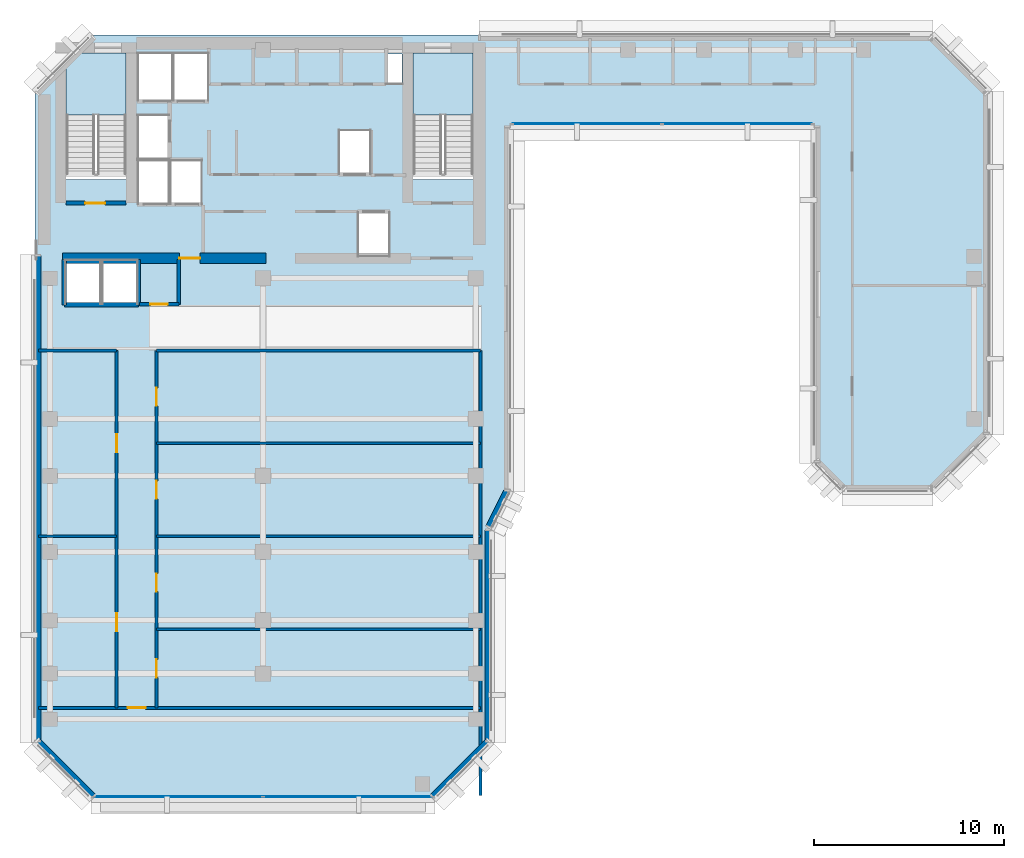
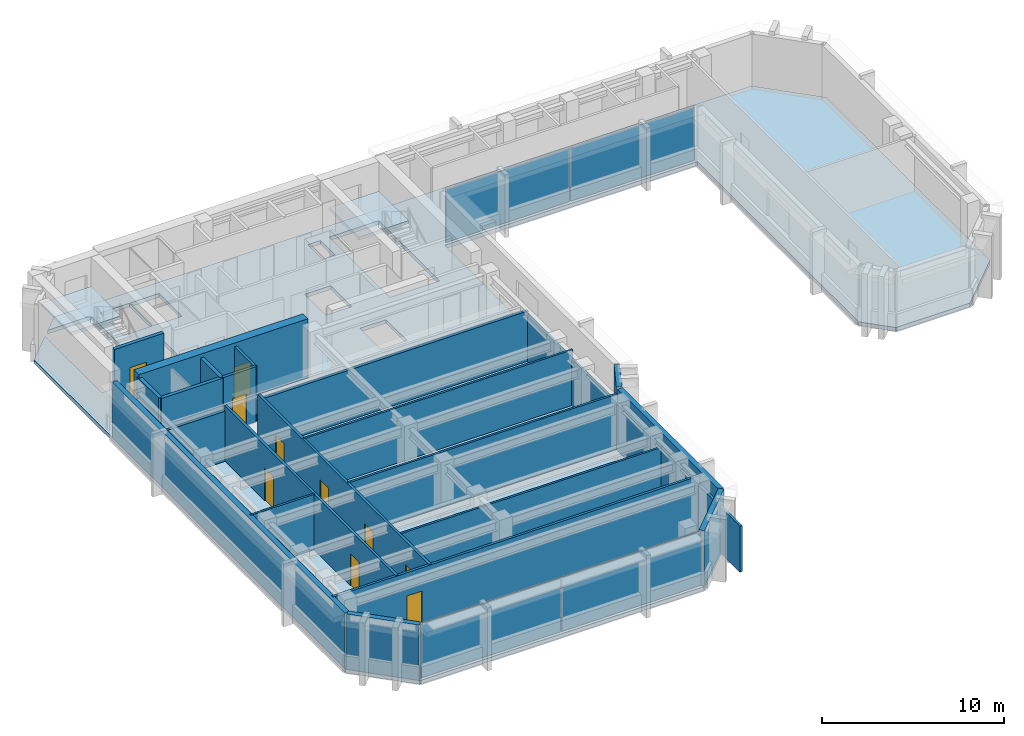
# One storey, part 5 of 12: 22 walls, 10 doors, 4 plates, 3 slabs, 10 openings, 4 elements without a shape of their own.
"""IFC4 building model written with IfcOpenShell, lengths in metres."""

from ifc_helpers import new_model, si_unit, direction, frame, frame_2d, origin, origin_2d, place, context, subcontext, project, spatial, polyline, rectangle, outline, extrude, material, layer, layer_set, type_object, element, fill, aggregate, save


model = new_model("IFC4")

# Units and contexts
model_context = context("Model", 3, precision=1e-05, world=origin(), true_north=direction((0.0, 1.0)))
body_context = subcontext(model_context, "Body", "Model", "MODEL_VIEW")
ifc_project = project(units=[si_unit("LENGTHUNIT", "METRE"), si_unit("AREAUNIT", "SQUARE_METRE"), si_unit("VOLUMEUNIT", "CUBIC_METRE"), si_unit("PLANEANGLEUNIT", "RADIAN"), si_unit("MASSUNIT", "GRAM", prefix="KILO")], contexts=[model_context])

# Site, building, storey
site_placement = place(None, origin())
site = spatial("IfcSite", under=ifc_project, at=site_placement, CompositionType="ELEMENT")
building_placement = place(site_placement, origin())
building = spatial("IfcBuilding", under=site, at=building_placement, Name="Kefirva Bronze Tower", CompositionType="ELEMENT")
storey_placement = place(building_placement, frame((0.0, 0.0, 235.6201171875)))
storey = spatial("IfcBuildingStorey", under=building, at=storey_placement, Name="L57", CompositionType="ELEMENT", Elevation=235.6201171875)

# Stair, slab
ifc_material_1 = material(Name="Concrete C40/50", Category="concrete")
stair_type = type_object("IfcStairType", Name="RC Dogleg Protected Stair 24R", PredefinedType="HALF_TURN_STAIR", material=ifc_material_1)
stair_1_placement = place(storey_placement, origin())
stair_1 = element("IfcStair", 1, at=stair_1_placement, inside=storey, type_object=stair_type, Name="L57 Protected Exit Stair 1", PredefinedType="HALF_TURN_STAIR")
ifc_layer_1 = layer(ifc_material_1, 0.199951171875, Name="Concrete C40/50")
ifc_layer_set_1 = layer_set([ifc_layer_1], Name="Concrete C40/50")
slab_type_1 = type_object("IfcSlabType", Name="RC Stair Landing Slab 200mm", PredefinedType="LANDING", material=ifc_layer_set_1)
slab_1_placement = place(storey_placement, frame((0.0, 0.0, 1.77978515625)))
slab_1 = element("IfcSlab", 2, at=slab_1_placement, type_object=slab_type_1, Name="ST-1 landing 1", PredefinedType="LANDING", context=body_context, shape_type="SweptSolid", body=[
    extrude(outline(polyline([(4.800048828125, 41.780029296875), (4.800048828125, 45.050048828125), (1.64990234375, 45.050048828125), (1.64990234375, 41.780029296875), (4.800048828125, 41.780029296875)])), origin(), (0.0, 0.0, 1.0), 0.2001953125),
])
aggregate(stair_1, [slab_1])

stair_2_placement = place(storey_placement, origin())
stair_2 = element("IfcStair", 3, at=stair_2_placement, inside=storey, type_object=stair_type, Name="L57 Protected Exit Stair 2", PredefinedType="HALF_TURN_STAIR")
slab_2_placement = place(storey_placement, frame((0.0, 0.0, 1.77978515625)))
slab_2 = element("IfcSlab", 4, at=slab_2_placement, type_object=slab_type_1, Name="ST-2 landing 1", PredefinedType="LANDING", context=body_context, shape_type="SweptSolid", body=[
    extrude(outline(polyline([(23.050048828125, 41.780029296875), (23.050048828125, 45.050048828125), (19.89990234375, 45.050048828125), (19.89990234375, 41.780029296875), (23.050048828125, 41.780029296875)])), origin(), (0.0, 0.0, 1.0), 0.2001953125),
])
aggregate(stair_2, [slab_2])

# Slab
ifc_layer_2 = layer(ifc_material_1, 0.25, Name="Concrete C40/50")
ifc_layer_set_2 = layer_set([ifc_layer_2], Name="Concrete C40/50")
slab_type_2 = type_object("IfcSlabType", Name="RC Tower Floor Slab 250mm", PredefinedType="FLOOR", material=ifc_layer_set_2)
slab_3_placement = place(storey_placement, frame((0.0, 0.0, -0.25)))
element("IfcSlab", 5, at=slab_3_placement, inside=storey, type_object=slab_type_2, Name="L57 Structural Floor Slab", PredefinedType="FLOOR", context=body_context, shape_type="SweptSolid", body=[
    extrude(outline(polyline([(0.0, 8.800048828125), (0.0, 43.0), (1.64990234375, 44.64990234375), (1.64990234375, 38.39990234375), (4.800048828125, 38.39990234375), (4.800048828125, 45.050048828125), (2.050048828125, 45.050048828125), (3.0, 46.0), (47.199951171875, 46.0), (50.199951171875, 43.0), (50.199951171875, 25.0), (47.199951171875, 22.0), (42.5, 22.0), (41.0, 23.5), (41.0, 41.199951171875), (25.0, 41.199951171875), (25.0, 22.0), (24.0, 20.0), (24.0, 8.800048828125), (21.0, 5.800048828125), (3.0, 5.800048828125), (0.0, 8.800048828125)]), holes=[polyline([(23.050048828125, 45.050048828125), (19.89990234375, 45.050048828125), (19.89990234375, 38.39990234375), (23.050048828125, 38.39990234375), (23.050048828125, 45.050048828125)]), polyline([(19.320068359375, 43.419921875), (19.320068359375, 45.0), (18.52001953125, 45.0), (18.52001953125, 43.419921875), (19.320068359375, 43.419921875)]), polyline([(18.64990234375, 36.64990234375), (17.0, 36.64990234375), (17.0, 34.35009765625), (18.64990234375, 34.35009765625), (18.64990234375, 36.64990234375)]), polyline([(17.64990234375, 38.679931640625), (17.64990234375, 40.97998046875), (16.0, 40.97998046875), (16.0, 38.679931640625), (17.64990234375, 38.679931640625)]), polyline([(9.1201171875, 42.550048828125), (9.1201171875, 45.050048828125), (7.300048828125, 45.050048828125), (7.300048828125, 42.550048828125), (9.1201171875, 42.550048828125)]), polyline([(8.780029296875, 37.10009765625), (8.780029296875, 39.39990234375), (7.139892578125, 39.39990234375), (7.139892578125, 37.10009765625), (8.780029296875, 37.10009765625)]), polyline([(7.239990234375, 42.550048828125), (7.239990234375, 45.050048828125), (5.419921875, 45.050048828125), (5.419921875, 42.550048828125), (7.239990234375, 42.550048828125)]), polyline([(7.06005859375, 37.10009765625), (7.06005859375, 39.39990234375), (5.419921875, 39.39990234375), (5.419921875, 37.10009765625), (7.06005859375, 37.10009765625)]), polyline([(7.06005859375, 41.780029296875), (5.419921875, 41.780029296875), (5.419921875, 39.47998046875), (7.06005859375, 39.47998046875), (7.06005859375, 41.780029296875)]), polyline([(5.39990234375, 31.85009765625), (5.39990234375, 34.14990234375), (3.550048828125, 34.14990234375), (3.550048828125, 31.85009765625), (5.39990234375, 31.85009765625)]), polyline([(3.449951171875, 34.14990234375), (1.60009765625, 34.14990234375), (1.60009765625, 31.85009765625), (3.449951171875, 31.85009765625), (3.449951171875, 34.14990234375)])]), origin(), (0.0, 0.0, 1.0), 0.25),
])

# Curtain wall, plates
ifc_material_2 = material(Name="Bronze anodised aluminium", Category="aluminium")
ifc_layer_3 = layer(ifc_material_2, 0.179931640625, Name="Bronze anodised aluminium")
ifc_layer_set_3 = layer_set([ifc_layer_3], Name="Bronze anodised aluminium")
curtain_wall_type = type_object("IfcCurtainWallType", Name="Unitised Bronze Ribbon Curtain Wall Zone 3", PredefinedType="USERDEFINED", material=ifc_layer_set_3)
curtain_wall_1_placement = place(storey_placement, origin())
curtain_wall_1 = element("IfcCurtainWall", 6, at=curtain_wall_1_placement, inside=storey, type_object=curtain_wall_type, Name="L57 Curtain Wall 1", ObjectType="UNITISED CURTAIN WALL", PredefinedType="USERDEFINED")
ifc_material_3 = material(Name="Laminated low-E double glazing", Category="glass")
ifc_layer_4 = layer(ifc_material_3, 0.031982421875, Name="Laminated low-E double glazing")
ifc_layer_set_4 = layer_set([ifc_layer_4], Name="Laminated low-E double glazing")
plate_type = type_object("IfcPlateType", Name="Solar-Control Low-E Vision Panel 32mm", PredefinedType="CURTAIN_PANEL", material=ifc_layer_set_4)
plate_1_placement = place(storey_placement, frame((7.546142578125, 5.919921875, 0.074951171875), z_axis=(0.0, 0.0, 1.0), x_axis=(1.0, 0.0, 0.0)))
plate_1 = element("IfcPlate", 7, at=plate_1_placement, type_object=plate_type, Name="CW-03 panel 1.1", PredefinedType="CURTAIN_PANEL", context=body_context, shape_type="SweptSolid", body=[
    extrude(rectangle(XDim=8.83251953125, YDim=0.031982421875, at=origin_2d()), origin(), (0.0, 0.0, 1.0), 3.56005859375),
])
plate_2_placement = place(storey_placement, frame((16.453857421875, 5.919921875, 0.074951171875), z_axis=(0.0, 0.0, 1.0), x_axis=(1.0, 0.0, 0.0)))
plate_2 = element("IfcPlate", 8, at=plate_2_placement, type_object=plate_type, Name="CW-03 panel 2.1", PredefinedType="CURTAIN_PANEL", context=body_context, shape_type="SweptSolid", body=[
    extrude(rectangle(XDim=8.83251953125, YDim=0.031982421875, at=origin_2d()), origin(), (0.0, 0.0, 1.0), 3.56005859375),
])
aggregate(curtain_wall_1, [plate_1, plate_2])

curtain_wall_2_placement = place(storey_placement, origin())
curtain_wall_2 = element("IfcCurtainWall", 9, at=curtain_wall_2_placement, inside=storey, type_object=curtain_wall_type, Name="L57 Curtain Wall 2", ObjectType="UNITISED CURTAIN WALL", PredefinedType="USERDEFINED")
plate_3_placement = place(storey_placement, frame((29.046142578125, 41.320068359375, 0.074951171875), z_axis=(0.0, 0.0, 1.0), x_axis=(1.0, 0.0, 0.0)))
plate_3 = element("IfcPlate", 10, at=plate_3_placement, type_object=plate_type, Name="CW-03 panel 1.1", PredefinedType="CURTAIN_PANEL", context=body_context, shape_type="SweptSolid", body=[
    extrude(rectangle(XDim=7.83251953125, YDim=0.031982421875, at=origin_2d()), origin(), (0.0, 0.0, 1.0), 3.56005859375),
])
plate_4_placement = place(storey_placement, frame((36.953857421875, 41.320068359375, 0.074951171875), z_axis=(0.0, 0.0, 1.0), x_axis=(1.0, 0.0, 0.0)))
plate_4 = element("IfcPlate", 11, at=plate_4_placement, type_object=plate_type, Name="CW-03 panel 2.1", PredefinedType="CURTAIN_PANEL", context=body_context, shape_type="SweptSolid", body=[
    extrude(rectangle(XDim=7.83251953125, YDim=0.031982421875, at=origin_2d()), origin(), (0.0, 0.0, 1.0), 3.56005859375),
])
aggregate(curtain_wall_2, [plate_3, plate_4])

# Walls
ifc_material_4 = material(Name="Gypsum acoustic partition")
ifc_layer_5 = layer(ifc_material_4, 0.1298828125, Name="Gypsum acoustic partition")
ifc_layer_set_5 = layer_set([ifc_layer_5], Name="Gypsum acoustic partition")
wall_type_1 = type_object("IfcWallType", Name="Acoustic Office Partition 130mm", PredefinedType="PARTITIONING", material=ifc_layer_set_5)
wall_1_placement = place(storey_placement, frame((0.18994140625, 19.6240234375, 0.0), z_axis=(0.0, 0.0, 1.0), x_axis=(1.0, 0.0, 0.0)))
element("IfcWall", 12, at=wall_1_placement, inside=storey, type_object=wall_type_1, Name="L57 Partition W-L57-SWD1", PredefinedType="PARTITIONING", context=body_context, shape_type="SweptSolid", body=[
    extrude(rectangle(XDim=4.110107421875, YDim=0.1298828125, at=frame_2d((2.05517578125, 0.0))), origin(), (0.0, 0.0, 1.0), 3.7099609375),
])
wall_2_placement = place(storey_placement, frame((6.39990234375, 14.736083984375, 0.0), z_axis=(0.0, 0.0, 1.0), x_axis=(1.0, 0.0, 0.0)))
element("IfcWall", 13, at=wall_2_placement, inside=storey, type_object=wall_type_1, Name="L57 Partition W-L57-SED1", PredefinedType="PARTITIONING", context=body_context, shape_type="SweptSolid", body=[
    extrude(rectangle(XDim=17.050048828125, YDim=0.1298828125, at=frame_2d((8.52490234375, 0.0))), origin(), (0.0, 0.0, 1.0), 3.094970703125),
])
for number, where, z_axis, x_axis, name in (
    (14, (6.39990234375, 19.6240234375, 0.0), (0.0, 0.0, 1.0), (1.0, 0.0, 0.0), "L57 Partition W-L57-SED2"),
    (15, (6.39990234375, 24.511962890625, 0.0), (0.0, 0.0, 1.0), (1.0, 0.0, 0.0), "L57 Partition W-L57-SED3"),
):
    element("IfcWall", number, at=place(storey_placement, frame(where, z_axis=z_axis, x_axis=x_axis)), inside=storey, type_object=wall_type_1, Name=name, PredefinedType="PARTITIONING", context=body_context, shape_type="SweptSolid", body=[
        extrude(rectangle(XDim=17.050048828125, YDim=0.1298828125, at=frame_2d((8.52490234375, 0.0))), origin(), (0.0, 0.0, 1.0), 3.7099609375),
    ])

# Wall, opening, door
ifc_material_5 = material(Name="Gypsum fireboard shaftwall")
ifc_layer_6 = layer(ifc_material_5, 0.219970703125, Name="Gypsum fireboard shaftwall")
ifc_layer_set_6 = layer_set([ifc_layer_6], Name="Gypsum fireboard shaftwall")
wall_type_2 = type_object("IfcWallType", Name="Fire-Rated Shaft Enclosure Wall 220mm", PredefinedType="PARTITIONING", material=ifc_layer_set_6)
wall_3_placement = place(storey_placement, frame((1.64990234375, 37.14990234375, 0.0), z_axis=(0.0, 0.0, 1.0), x_axis=(1.0, 0.0, 0.0)))
wall_3 = element("IfcWall", 16, at=wall_3_placement, inside=storey, type_object=wall_type_2, Name="L57 Partition W-L57-ST1S", PredefinedType="PARTITIONING", context=body_context, shape_type="SweptSolid", body=[
    extrude(rectangle(XDim=3.150146484375, YDim=0.219970703125, at=frame_2d((1.5751953125, 0.0))), origin(), (0.0, 0.0, 1.0), 3.7099609375),
])
opening_1_placement = place(wall_3_placement, frame((2.050048828125, 0.0, 0.0), z_axis=(0.0, 0.0, 1.0), x_axis=(-1.0, 0.0, 0.0)))
opening_1 = element("IfcOpeningElement", 17, at=opening_1_placement, cuts=wall_3, Name="Opening L57-D001", PredefinedType="OPENING", context=body_context, shape_type="SweptSolid", body=[
    extrude(rectangle(XDim=1.050048828125, YDim=2.14990234375, at=frame_2d((0.52490234375, 1.074951171875))), frame((0.0, 0.1201171875, 0.0), z_axis=(0.0, -1.0, 0.0), x_axis=(1.0, 0.0, 0.0)), (0.0, 0.0, 1.0), 0.239990234375),
])
ifc_material_6 = material(Name="Painted galvanized steel", Category="steel")
door_type_1 = type_object("IfcDoorType", Name="Fire Stair Enclosure Door 1050x2150 FD90S", OperationType="NOTDEFINED", PredefinedType="DOOR", material=ifc_material_6)
door_1_placement = place(opening_1_placement, origin())
door_1 = element("IfcDoor", 18, at=door_1_placement, inside=storey, type_object=door_type_1, Name="Door L57-D001", OperationType="SINGLE_SWING_LEFT", OverallHeight=2.14990234375, OverallWidth=1.050048828125, PredefinedType="DOOR", context=body_context, shape_type="SweptSolid", body=[
    extrude(rectangle(XDim=1.050048828125, YDim=2.14990234375, at=frame_2d((0.52490234375, 1.074951171875))), frame((0.0, 0.02490234375, 0.0), z_axis=(0.0, -1.0, 0.0), x_axis=(1.0, 0.0, 0.0)), (0.0, 0.0, 1.0), 0.050048828125),
])
fill(opening_1, door_1)

# Walls
wall_4_placement = place(storey_placement, frame((1.550048828125, 31.800048828125, 0.0), z_axis=(0.0, 0.0, 1.0), x_axis=(1.0, 0.0, 0.0)))
element("IfcWall", 19, at=wall_4_placement, inside=storey, type_object=wall_type_2, Name="L57 Partition W-L57-OBS", PredefinedType="PARTITIONING", context=body_context, shape_type="SweptSolid", body=[
    extrude(rectangle(XDim=3.89990234375, YDim=0.219970703125, at=frame_2d((1.949951171875, 0.0))), origin(), (0.0, 0.0, 1.0), 3.7099609375),
])
for number, where, z_axis, x_axis, name in (
    (20, (1.550048828125, 31.800048828125, 0.0), (0.0, 0.0, 1.0), (0.0, 1.0, 0.0), "L57 Partition W-L57-OBW"),
    (21, (5.449951171875, 31.800048828125, 0.0), (0.0, 0.0, 1.0), (0.0, 1.0, 0.0), "L57 Partition W-L57-OBE"),
):
    element("IfcWall", number, at=place(storey_placement, frame(where, z_axis=z_axis, x_axis=x_axis)), inside=storey, type_object=wall_type_2, Name=name, PredefinedType="PARTITIONING", context=body_context, shape_type="SweptSolid", body=[
        extrude(rectangle(XDim=2.3798828125, YDim=0.219970703125, at=frame_2d((1.18994140625, 0.0))), origin(), (0.0, 0.0, 1.0), 3.7099609375),
    ])
ifc_material_7 = material(Name="Precast concrete C40/50", Category="concrete")
ifc_layer_7 = layer(ifc_material_7, 0.320068359375, Name="Precast concrete C40/50")
ifc_layer_set_7 = layer_set([ifc_layer_7], Name="Precast concrete C40/50")
wall_type_3 = type_object("IfcWallType", Name="Precast Insulated Exterior Wall 320mm", PredefinedType="SOLIDWALL", material=ifc_layer_set_7)
wall_5_placement = place(storey_placement, frame((20.92578125, 5.951904296875, 0.0), z_axis=(0.0, 0.0, 1.0), x_axis=(0.707077242712, 0.707136318428, 0.0)))
element("IfcWall", 22, at=wall_5_placement, inside=storey, type_object=wall_type_3, Name="L57 Exterior Facade Wall 1", PredefinedType="SOLIDWALL", context=body_context, shape_type="SweptSolid", body=[
    extrude(rectangle(XDim=4.132568359375, YDim=0.320068359375, at=frame_2d((2.06640625, 0.0))), origin(), (0.0, 0.0, 1.0), 3.7099609375),
])
wall_6_placement = place(storey_placement, frame((23.840087890625, 8.85498046875, 0.0), z_axis=(0.0, 0.0, 1.0), x_axis=(0.0, 1.0, 0.0)))
element("IfcWall", 23, at=wall_6_placement, inside=storey, type_object=wall_type_3, Name="L57 Exterior Facade Wall 2", PredefinedType="SOLIDWALL", context=body_context, shape_type="SweptSolid", body=[
    extrude(rectangle(XDim=11.090087890625, YDim=0.320068359375, at=frame_2d((5.544921875, 0.0))), origin(), (0.0, 0.0, 1.0), 3.7099609375),
])
wall_7_placement = place(storey_placement, frame((23.881591796875, 20.12060546875, 0.0), z_axis=(0.0, 0.0, 1.0), x_axis=(0.447121734542, 0.894473115583, 0.0)))
element("IfcWall", 24, at=wall_7_placement, inside=storey, type_object=wall_type_3, Name="L57 Exterior Facade Wall 3", PredefinedType="SOLIDWALL", context=body_context, shape_type="SweptSolid", body=[
    extrude(rectangle(XDim=2.126220703125, YDim=0.320068359375, at=frame_2d((1.06298828125, 0.0))), origin(), (0.0, 0.0, 1.0), 3.7099609375),
])
wall_8_placement = place(storey_placement, frame((0.159912109375, 34.39501953125, 0.0), z_axis=(0.0, 0.0, 1.0), x_axis=(0.0, -1.0, 0.0)))
element("IfcWall", 25, at=wall_8_placement, inside=storey, type_object=wall_type_3, Name="L57 Exterior Facade Wall 13", PredefinedType="SOLIDWALL", context=body_context, shape_type="SweptSolid", body=[
    extrude(rectangle(XDim=25.5400390625, YDim=0.320068359375, at=frame_2d((12.77001953125, 0.0))), origin(), (0.0, 0.0, 1.0), 3.7099609375),
])
wall_9_placement = place(storey_placement, frame((0.152099609375, 8.874267578125, 0.0), z_axis=(0.0, 0.0, 1.0), x_axis=(0.707077242712, -0.707136318428, 0.0)))
element("IfcWall", 26, at=wall_9_placement, inside=storey, type_object=wall_type_3, Name="L57 Exterior Facade Wall 14", PredefinedType="SOLIDWALL", context=body_context, shape_type="SweptSolid", body=[
    extrude(rectangle(XDim=4.132568359375, YDim=0.320068359375, at=frame_2d((2.06640625, 0.0))), origin(), (0.0, 0.0, 1.0), 3.7099609375),
])

# Wall, openings, doors
ifc_layer_8 = layer(ifc_material_4, 0.159912109375, Name="Gypsum acoustic partition")
ifc_layer_set_8 = layer_set([ifc_layer_8], Name="Gypsum acoustic partition")
wall_type_4 = type_object("IfcWallType", Name="Protected Corridor Partition 160mm", PredefinedType="PARTITIONING", material=ifc_layer_set_8)
wall_10_placement = place(storey_placement, frame((4.300048828125, 10.60009765625, 0.0), z_axis=(0.0, 0.0, 1.0), x_axis=(0.0, 1.0, 0.0)))
wall_10 = element("IfcWall", 27, at=wall_10_placement, inside=storey, type_object=wall_type_4, Name="L57 Partition W-L57-SWCORW", PredefinedType="PARTITIONING", context=body_context, shape_type="SweptSolid", body=[
    extrude(rectangle(XDim=18.7998046875, YDim=0.159912109375, at=frame_2d((9.39990234375, 0.0))), origin(), (0.0, 0.0, 1.0), 3.7099609375),
])
opening_2_placement = place(wall_10_placement, frame((4.987060546875, 0.0, 0.0), z_axis=(0.0, 0.0, 1.0), x_axis=(-1.0, 0.0, 0.0)))
opening_2 = element("IfcOpeningElement", 28, at=opening_2_placement, cuts=wall_10, Name="Opening L57-D-SW1", PredefinedType="OPENING", context=body_context, shape_type="SweptSolid", body=[
    extrude(rectangle(XDim=0.949951171875, YDim=2.14990234375, at=frame_2d((0.47509765625, 1.074951171875))), frame((0.0, 0.08984375, 0.0), z_axis=(0.0, -1.0, 0.0), x_axis=(1.0, 0.0, 0.0)), (0.0, 0.0, 1.0), 0.179931640625),
])
opening_3_placement = place(wall_10_placement, frame((14.386962890625, 0.0, 0.0), z_axis=(0.0, 0.0, 1.0), x_axis=(-1.0, 0.0, 0.0)))
opening_3 = element("IfcOpeningElement", 29, at=opening_3_placement, cuts=wall_10, Name="Opening L57-D-SW2", PredefinedType="OPENING", context=body_context, shape_type="SweptSolid", body=[
    extrude(rectangle(XDim=0.949951171875, YDim=2.14990234375, at=frame_2d((0.47509765625, 1.074951171875))), frame((0.0, 0.08984375, 0.0), z_axis=(0.0, -1.0, 0.0), x_axis=(1.0, 0.0, 0.0)), (0.0, 0.0, 1.0), 0.179931640625),
])
ifc_material_8 = material(Name="Acoustic hardwood oak", Category="wood")
door_type_2 = type_object("IfcDoorType", Name="Office & Meeting Room Door 950x2150", OperationType="NOTDEFINED", PredefinedType="DOOR", material=ifc_material_8)
door_2_placement = place(opening_2_placement, origin())
door_2 = element("IfcDoor", 30, at=door_2_placement, inside=storey, type_object=door_type_2, Name="Door L57-D-SW1", OperationType="SINGLE_SWING_LEFT", OverallHeight=2.14990234375, OverallWidth=0.949951171875, PredefinedType="DOOR", context=body_context, shape_type="SweptSolid", body=[
    extrude(rectangle(XDim=0.949951171875, YDim=2.14990234375, at=frame_2d((0.47509765625, 1.074951171875))), frame((0.0, 0.02490234375, 0.0), z_axis=(0.0, -1.0, 0.0), x_axis=(1.0, 0.0, 0.0)), (0.0, 0.0, 1.0), 0.050048828125),
])
fill(opening_2, door_2)
door_3_placement = place(opening_3_placement, origin())
door_3 = element("IfcDoor", 31, at=door_3_placement, inside=storey, type_object=door_type_2, Name="Door L57-D-SW2", OperationType="SINGLE_SWING_RIGHT", OverallHeight=2.14990234375, OverallWidth=0.949951171875, PredefinedType="DOOR", context=body_context, shape_type="SweptSolid", body=[
    extrude(rectangle(XDim=0.949951171875, YDim=2.14990234375, at=frame_2d((0.47509765625, 1.074951171875))), frame((0.0, 0.02490234375, 0.0), z_axis=(0.0, -1.0, 0.0), x_axis=(1.0, 0.0, 0.0)), (0.0, 0.0, 1.0), 0.050048828125),
])
fill(opening_3, door_3)

wall_11_placement = place(storey_placement, frame((6.39990234375, 10.60009765625, 0.0), z_axis=(0.0, 0.0, 1.0), x_axis=(0.0, 1.0, 0.0)))
wall_11 = element("IfcWall", 32, at=wall_11_placement, inside=storey, type_object=wall_type_4, Name="L57 Partition W-L57-SECORE", PredefinedType="PARTITIONING", context=body_context, shape_type="SweptSolid", body=[
    extrude(rectangle(XDim=18.7998046875, YDim=0.159912109375, at=frame_2d((9.39990234375, 0.0))), origin(), (0.0, 0.0, 1.0), 3.7099609375),
])
opening_4_placement = place(wall_11_placement, frame((1.593017578125, 0.0, 0.0)))
opening_4 = element("IfcOpeningElement", 33, at=opening_4_placement, cuts=wall_11, Name="Opening L57-D-SE1", PredefinedType="OPENING", context=body_context, shape_type="SweptSolid", body=[
    extrude(rectangle(XDim=0.949951171875, YDim=2.14990234375, at=frame_2d((0.47509765625, 1.074951171875))), frame((0.0, 0.08984375, 0.0), z_axis=(0.0, -1.0, 0.0), x_axis=(1.0, 0.0, 0.0)), (0.0, 0.0, 1.0), 0.179931640625),
])
opening_5_placement = place(wall_11_placement, frame((6.10498046875, 0.0, 0.0)))
opening_5 = element("IfcOpeningElement", 34, at=opening_5_placement, cuts=wall_11, Name="Opening L57-D-SE2", PredefinedType="OPENING", context=body_context, shape_type="SweptSolid", body=[
    extrude(rectangle(XDim=0.949951171875, YDim=2.14990234375, at=frame_2d((0.47509765625, 1.074951171875))), frame((0.0, 0.08984375, 0.0), z_axis=(0.0, -1.0, 0.0), x_axis=(1.0, 0.0, 0.0)), (0.0, 0.0, 1.0), 0.179931640625),
])
opening_6_placement = place(wall_11_placement, frame((10.992919921875, 0.0, 0.0)))
opening_6 = element("IfcOpeningElement", 35, at=opening_6_placement, cuts=wall_11, Name="Opening L57-D-SE3", PredefinedType="OPENING", context=body_context, shape_type="SweptSolid", body=[
    extrude(rectangle(XDim=0.949951171875, YDim=2.14990234375, at=frame_2d((0.47509765625, 1.074951171875))), frame((0.0, 0.08984375, 0.0), z_axis=(0.0, -1.0, 0.0), x_axis=(1.0, 0.0, 0.0)), (0.0, 0.0, 1.0), 0.179931640625),
])
opening_7_placement = place(wall_11_placement, frame((15.881103515625, 0.0, 0.0)))
opening_7 = element("IfcOpeningElement", 36, at=opening_7_placement, cuts=wall_11, Name="Opening L57-D-SE4", PredefinedType="OPENING", context=body_context, shape_type="SweptSolid", body=[
    extrude(rectangle(XDim=0.949951171875, YDim=2.14990234375, at=frame_2d((0.47509765625, 1.074951171875))), frame((0.0, 0.08984375, 0.0), z_axis=(0.0, -1.0, 0.0), x_axis=(1.0, 0.0, 0.0)), (0.0, 0.0, 1.0), 0.179931640625),
])
door_4_placement = place(opening_4_placement, origin())
door_4 = element("IfcDoor", 37, at=door_4_placement, inside=storey, type_object=door_type_2, Name="Door L57-D-SE1", OperationType="SINGLE_SWING_LEFT", OverallHeight=2.14990234375, OverallWidth=0.949951171875, PredefinedType="DOOR", context=body_context, shape_type="SweptSolid", body=[
    extrude(rectangle(XDim=0.949951171875, YDim=2.14990234375, at=frame_2d((0.47509765625, 1.074951171875))), frame((0.0, 0.02490234375, 0.0), z_axis=(0.0, -1.0, 0.0), x_axis=(1.0, 0.0, 0.0)), (0.0, 0.0, 1.0), 0.050048828125),
])
fill(opening_4, door_4)
door_5_placement = place(opening_5_placement, origin())
door_5 = element("IfcDoor", 38, at=door_5_placement, inside=storey, type_object=door_type_2, Name="Door L57-D-SE2", OperationType="SINGLE_SWING_RIGHT", OverallHeight=2.14990234375, OverallWidth=0.949951171875, PredefinedType="DOOR", context=body_context, shape_type="SweptSolid", body=[
    extrude(rectangle(XDim=0.949951171875, YDim=2.14990234375, at=frame_2d((0.47509765625, 1.074951171875))), frame((0.0, 0.02490234375, 0.0), z_axis=(0.0, -1.0, 0.0), x_axis=(1.0, 0.0, 0.0)), (0.0, 0.0, 1.0), 0.050048828125),
])
fill(opening_5, door_5)
door_6_placement = place(opening_6_placement, origin())
door_6 = element("IfcDoor", 39, at=door_6_placement, inside=storey, type_object=door_type_2, Name="Door L57-D-SE3", OperationType="SINGLE_SWING_LEFT", OverallHeight=2.14990234375, OverallWidth=0.949951171875, PredefinedType="DOOR", context=body_context, shape_type="SweptSolid", body=[
    extrude(rectangle(XDim=0.949951171875, YDim=2.14990234375, at=frame_2d((0.47509765625, 1.074951171875))), frame((0.0, 0.02490234375, 0.0), z_axis=(0.0, -1.0, 0.0), x_axis=(1.0, 0.0, 0.0)), (0.0, 0.0, 1.0), 0.050048828125),
])
fill(opening_6, door_6)
door_7_placement = place(opening_7_placement, origin())
door_7 = element("IfcDoor", 40, at=door_7_placement, inside=storey, type_object=door_type_2, Name="Door L57-D-SE4", OperationType="SINGLE_SWING_RIGHT", OverallHeight=2.14990234375, OverallWidth=0.949951171875, PredefinedType="DOOR", context=body_context, shape_type="SweptSolid", body=[
    extrude(rectangle(XDim=0.949951171875, YDim=2.14990234375, at=frame_2d((0.47509765625, 1.074951171875))), frame((0.0, 0.02490234375, 0.0), z_axis=(0.0, -1.0, 0.0), x_axis=(1.0, 0.0, 0.0)), (0.0, 0.0, 1.0), 0.050048828125),
])
fill(opening_7, door_7)

# Wall, opening, door
wall_12_placement = place(storey_placement, frame((0.18994140625, 10.60009765625, 0.0), z_axis=(0.0, 0.0, 1.0), x_axis=(1.0, 0.0, 0.0)))
wall_12 = element("IfcWall", 41, at=wall_12_placement, inside=storey, type_object=wall_type_4, Name="L57 Partition W-L57-SBEND", PredefinedType="PARTITIONING", context=body_context, shape_type="SweptSolid", body=[
    extrude(rectangle(XDim=23.260009765625, YDim=0.159912109375, at=frame_2d((11.6298828125, 0.0))), origin(), (0.0, 0.0, 1.0), 3.7099609375),
])
opening_8_placement = place(wall_12_placement, frame((4.68994140625, 0.0, 0.0)))
opening_8 = element("IfcOpeningElement", 42, at=opening_8_placement, cuts=wall_12, Name="Opening L57-D-SEND1", PredefinedType="OPENING", context=body_context, shape_type="SweptSolid", body=[
    extrude(rectangle(XDim=0.949951171875, YDim=2.14990234375, at=frame_2d((0.47509765625, 1.074951171875))), frame((0.0, 0.08984375, 0.0), z_axis=(0.0, -1.0, 0.0), x_axis=(1.0, 0.0, 0.0)), (0.0, 0.0, 1.0), 0.179931640625),
])
door_8_placement = place(opening_8_placement, origin())
door_8 = element("IfcDoor", 43, at=door_8_placement, inside=storey, type_object=door_type_2, Name="Door L57-D-SEND1", OperationType="SINGLE_SWING_RIGHT", OverallHeight=2.14990234375, OverallWidth=0.949951171875, PredefinedType="DOOR", context=body_context, shape_type="SweptSolid", body=[
    extrude(rectangle(XDim=0.949951171875, YDim=2.14990234375, at=frame_2d((0.47509765625, 1.074951171875))), frame((0.0, 0.02490234375, 0.0), z_axis=(0.0, -1.0, 0.0), x_axis=(1.0, 0.0, 0.0)), (0.0, 0.0, 1.0), 0.050048828125),
])
fill(opening_8, door_8)

# Walls
wall_13_placement = place(storey_placement, frame((0.18994140625, 29.39990234375, 0.0), z_axis=(0.0, 0.0, 1.0), x_axis=(1.0, 0.0, 0.0)))
element("IfcWall", 44, at=wall_13_placement, inside=storey, type_object=wall_type_4, Name="L57 Partition W-L57-NWT", PredefinedType="PARTITIONING", context=body_context, shape_type="SweptSolid", body=[
    extrude(rectangle(XDim=4.110107421875, YDim=0.159912109375, at=frame_2d((2.05517578125, 0.0))), origin(), (0.0, 0.0, 1.0), 3.364990234375),
])
wall_14_placement = place(storey_placement, frame((6.39990234375, 29.39990234375, 0.0), z_axis=(0.0, 0.0, 1.0), x_axis=(1.0, 0.0, 0.0)))
element("IfcWall", 45, at=wall_14_placement, inside=storey, type_object=wall_type_4, Name="L57 Partition W-L57-NET", PredefinedType="PARTITIONING", context=body_context, shape_type="SweptSolid", body=[
    extrude(rectangle(XDim=17.050048828125, YDim=0.159912109375, at=frame_2d((8.52490234375, 0.0))), origin(), (0.0, 0.0, 1.0), 3.364990234375),
])
wall_15_placement = place(storey_placement, frame((23.449951171875, 5.989990234375, 0.0), z_axis=(0.0, 0.0, 1.0), x_axis=(0.0, 1.0, 0.0)))
element("IfcWall", 46, at=wall_15_placement, inside=storey, type_object=wall_type_4, Name="L57 Partition W-L57-SWEAST", PredefinedType="PARTITIONING", context=body_context, shape_type="SweptSolid", body=[
    extrude(rectangle(XDim=23.409912109375, YDim=0.159912109375, at=frame_2d((11.705078125, 0.0))), origin(), (0.0, 0.0, 1.0), 3.094970703125),
])

# Wall, opening, door
ifc_material_9 = material(Name="Concrete C50/60", Category="concrete")
ifc_layer_9 = layer(ifc_material_9, 0.64990234375, Name="Concrete C50/60")
ifc_layer_set_9 = layer_set([ifc_layer_9], Name="Concrete C50/60")
wall_type_5 = type_object("IfcWallType", Name="RC Rear Core Interior Wall 650mm", PredefinedType="SHEAR", material=ifc_layer_set_9)
wall_16_placement = place(storey_placement, frame((1.449951171875, 34.25, 0.0), z_axis=(0.0, 0.0, 1.0), x_axis=(1.0, 0.0, 0.0)))
wall_16 = element("IfcWall", 47, at=wall_16_placement, inside=storey, type_object=wall_type_5, Name="L57 Rear Core South-West Shear Wall", PredefinedType="SHEAR", context=body_context, shape_type="SweptSolid", body=[
    extrude(rectangle(XDim=10.7099609375, YDim=0.550048828125, at=frame_2d((5.35498046875, 0.0))), origin(), (0.0, 0.0, 1.0), 3.9599609375),
])
opening_9_placement = place(wall_16_placement, frame((7.25, 0.0, 0.0), z_axis=(0.0, 0.0, 1.0), x_axis=(-1.0, 0.0, 0.0)))
opening_9 = element("IfcOpeningElement", 48, at=opening_9_placement, cuts=wall_16, Name="Opening L57-D002", PredefinedType="OPENING", context=body_context, shape_type="SweptSolid", body=[
    extrude(rectangle(XDim=1.10009765625, YDim=2.14990234375, at=frame_2d((0.550048828125, 1.074951171875))), frame((0.0, 0.28515625, 0.0), z_axis=(0.0, -1.0, 0.0), x_axis=(1.0, 0.0, 0.0)), (0.0, 0.0, 1.0), 0.570068359375),
])
door_type_3 = type_object("IfcDoorType", Name="Firefighting Lobby Smoke Door 1100x2150 FD60S", OperationType="NOTDEFINED", PredefinedType="DOOR", material=ifc_material_6)
door_9_placement = place(opening_9_placement, origin())
door_9 = element("IfcDoor", 49, at=door_9_placement, inside=storey, type_object=door_type_3, Name="Door L57-D002", OperationType="SINGLE_SWING_RIGHT", OverallHeight=2.14990234375, OverallWidth=1.10009765625, PredefinedType="DOOR", context=body_context, shape_type="SweptSolid", body=[
    extrude(rectangle(XDim=1.10009765625, YDim=2.14990234375, at=frame_2d((0.550048828125, 1.074951171875))), frame((0.0, 0.02490234375, 0.0), z_axis=(0.0, -1.0, 0.0), x_axis=(1.0, 0.0, 0.0)), (0.0, 0.0, 1.0), 0.050048828125),
])
fill(opening_9, door_9)

ifc_material_10 = material(Name="Moisture-resistant partition")
ifc_layer_10 = layer(ifc_material_10, 0.179931640625, Name="Moisture-resistant partition")
ifc_layer_set_10 = layer_set([ifc_layer_10], Name="Moisture-resistant partition")
wall_type_6 = type_object("IfcWallType", Name="Sanitary Plumbing Chase Wall 180mm", PredefinedType="PLUMBINGWALL", material=ifc_layer_set_10)
wall_17_placement = place(storey_placement, frame((5.5, 31.820068359375, 0.0), z_axis=(0.0, 0.0, 1.0), x_axis=(1.0, 0.0, 0.0)))
wall_17 = element("IfcWall", 50, at=wall_17_placement, inside=storey, type_object=wall_type_6, Name="L57 Partition W-L57-TCS", PredefinedType="PLUMBINGWALL", context=body_context, shape_type="SweptSolid", body=[
    extrude(rectangle(XDim=2.080078125, YDim=0.179931640625, at=frame_2d((1.0400390625, 0.0))), origin(), (0.0, 0.0, 1.0), 3.7099609375),
])
opening_10_placement = place(wall_17_placement, frame((1.47998046875, 0.0, 0.0), z_axis=(0.0, 0.0, 1.0), x_axis=(-1.0, 0.0, 0.0)))
opening_10 = element("IfcOpeningElement", 51, at=opening_10_placement, cuts=wall_17, Name="Opening L57-D-TCL1", PredefinedType="OPENING", context=body_context, shape_type="SweptSolid", body=[
    extrude(rectangle(XDim=0.89990234375, YDim=2.10009765625, at=frame_2d((0.449951171875, 1.050048828125))), frame((0.0, 0.10009765625, 0.0), z_axis=(0.0, -1.0, 0.0), x_axis=(1.0, 0.0, 0.0)), (0.0, 0.0, 1.0), 0.199951171875),
])
door_type_4 = type_object("IfcDoorType", Name="Telecom & Meter Fire Door 900x2100 FD60S", OperationType="NOTDEFINED", PredefinedType="DOOR", material=ifc_material_6)
door_10_placement = place(opening_10_placement, origin())
door_10 = element("IfcDoor", 52, at=door_10_placement, inside=storey, type_object=door_type_4, Name="Door L57-D-TCL1", OperationType="SINGLE_SWING_RIGHT", OverallHeight=2.10009765625, OverallWidth=0.89990234375, PredefinedType="DOOR", context=body_context, shape_type="SweptSolid", body=[
    extrude(rectangle(XDim=0.89990234375, YDim=2.10009765625, at=frame_2d((0.449951171875, 1.050048828125))), frame((0.0, 0.02490234375, 0.0), z_axis=(0.0, -1.0, 0.0), x_axis=(1.0, 0.0, 0.0)), (0.0, 0.0, 1.0), 0.050048828125),
])
fill(opening_10, door_10)

# Wall
wall_18_placement = place(storey_placement, frame((7.580078125, 31.820068359375, 0.0), z_axis=(0.0, 0.0, 1.0), x_axis=(0.0, 1.0, 0.0)))
element("IfcWall", 53, at=wall_18_placement, inside=storey, type_object=wall_type_6, Name="L57 Partition W-L57-TCE", PredefinedType="PLUMBINGWALL", context=body_context, shape_type="SweptSolid", body=[
    extrude(rectangle(XDim=2.35986328125, YDim=0.179931640625, at=frame_2d((1.179931640625, 0.0))), origin(), (0.0, 0.0, 1.0), 3.7099609375),
])

save(model, "model.ifc")
